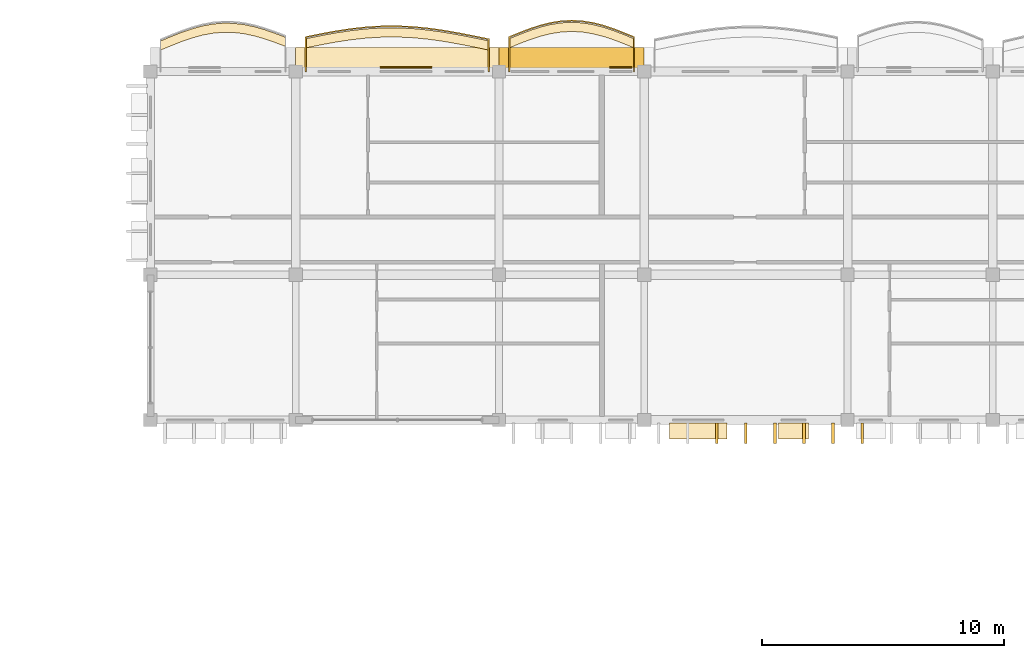
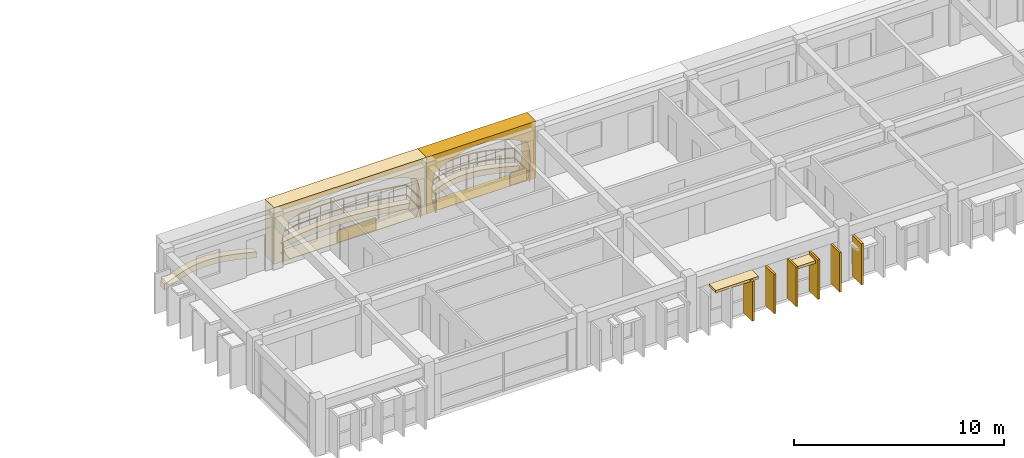
# One storey, part 58 of 68: 15 coverings, 2 railings.
"""IFC4 building model written with IfcOpenShell, lengths in metres."""

from ifc_helpers import new_model, si_unit, direction, frame, origin, origin_2d, place, context, subcontext, project, spatial, polyline, rectangle, outline, extrude, material, layer, layer_set, type_object, element, save


model = new_model("IFC4")

# Units and contexts
model_context = context("Model", 3, precision=1e-05, world=origin(), true_north=direction((0.0, 1.0)))
body_context = subcontext(model_context, "Body", "Model", "MODEL_VIEW")
ifc_project = project(units=[si_unit("LENGTHUNIT", "METRE"), si_unit("AREAUNIT", "SQUARE_METRE"), si_unit("VOLUMEUNIT", "CUBIC_METRE"), si_unit("PLANEANGLEUNIT", "RADIAN"), si_unit("MASSUNIT", "GRAM", prefix="KILO"), si_unit("THERMODYNAMICTEMPERATUREUNIT", "KELVIN")], contexts=[model_context])

# Site, building, storey
site_placement = place(None, origin())
site = spatial("IfcSite", under=ifc_project, at=site_placement, CompositionType="ELEMENT")
building_placement = place(site_placement, origin())
building = spatial("IfcBuilding", under=site, at=building_placement, Name="Thalorik Housing Commons", CompositionType="ELEMENT")
storey_placement = place(building_placement, frame((0.0, 0.0, 24.60009765625)))
storey = spatial("IfcBuildingStorey", under=building, at=storey_placement, Name="L07", CompositionType="ELEMENT", Elevation=24.60009765625)

# Coverings
ifc_material_1 = material(Name="Cobalt blue glazed ceramic facade tile panel", Category="masonry")
ifc_layer_1 = layer(ifc_material_1, 0.06005859375, Name="Cobalt blue glazed ceramic facade tile panel", Category="masonry")
ifc_layer_set_1 = layer_set([ifc_layer_1], Name="Cobalt blue glazed ceramic facade tile panel")
covering_type_1 = type_object("IfcCoveringType", Name="ARC-CLD-BLU-60", PredefinedType="CLADDING", material=ifc_layer_set_1)
covering_1_placement = place(storey_placement, frame((99.830078125, 123.764892578125, 0.0498046875), z_axis=(0.0, 0.0, 1.0), x_axis=(-1.0, 0.0, 0.0)))
element("IfcCovering", 1, at=covering_1_placement, inside=storey, type_object=covering_type_1, Name="L07 De Stijl Recessed Window Spandrel 2574", PredefinedType="CLADDING", context=body_context, shape_type="SweptSolid", body=[
    extrude(rectangle(XDim=0.89990234375, YDim=0.06005859375, at=origin_2d()), origin(), (0.0, 0.0, 1.0), 0.699951171875),
])
ifc_material_2 = material(Name="Precast concrete C40/50", Category="concrete")
ifc_layer_2 = layer(ifc_material_2, 0.85009765625, Name="Precast concrete C40/50", Category="concrete")
ifc_layer_set_2 = layer_set([ifc_layer_2], Name="Precast concrete C40/50")
covering_type_2 = type_object("IfcCoveringType", Name="ARC-CLD-CUSH-850", PredefinedType="CLADDING", material=ifc_layer_set_2)
covering_2_placement = place(storey_placement, frame((97.800048828125, 124.155029296875, 0.0), z_axis=(0.0, 0.0, 1.0), x_axis=(-1.0, 0.0, 0.0)))
element("IfcCovering", 2, at=covering_2_placement, inside=storey, type_object=covering_type_2, Name="L07 White Precast Curved Cushion Bay Frame 2573", PredefinedType="CLADDING", context=body_context, shape_type="SweptSolid", body=[
    extrude(outline(polyline([(-3.0, 0.0), (3.0, 0.0), (3.0, 3.300048828125), (-3.0, 3.300048828125), (-3.0, 0.0)]), holes=[polyline([(2.544921875, 0.02490234375), (2.64111328125, 0.394287109375), (2.69873046875, 0.76318359375), (2.718017578125, 1.132568359375), (2.69873046875, 1.501708984375), (2.64111328125, 1.870849609375), (2.544921875, 2.239990234375), (2.1220703125, 2.4833984375), (1.69921875, 2.6748046875), (1.2763671875, 2.82958984375), (0.853271484375, 2.94482421875), (0.430419921875, 3.01611328125), (0.007568359375, 3.0400390625), (-0.415283203125, 3.01611328125), (-0.83837890625, 2.94482421875), (-1.26123046875, 2.82958984375), (-1.68408203125, 2.6748046875), (-2.107177734375, 2.4833984375), (-2.530029296875, 2.239990234375), (-2.629150390625, 1.870849609375), (-2.688720703125, 1.501708984375), (-2.70849609375, 1.132568359375), (-2.688720703125, 0.76318359375), (-2.629150390625, 0.394287109375), (-2.530029296875, 0.02490234375), (2.544921875, 0.02490234375)])]), frame((0.0, 0.425048828125, 0.0), z_axis=(0.0, -1.0, 0.0), x_axis=(1.0, 0.0, 0.0)), (0.0, 0.0, 1.0), 0.85009765625),
])
covering_3_placement = place(storey_placement, frame((90.60009765625, 124.155029296875, 0.0), z_axis=(0.0, 0.0, 1.0), x_axis=(-1.0, 0.0, 0.0)))
element("IfcCovering", 3, at=covering_3_placement, inside=storey, type_object=covering_type_2, Name="L07 White Precast Curved Cushion Bay Frame 2575", PredefinedType="CLADDING", context=body_context, shape_type="SweptSolid", body=[
    extrude(outline(polyline([(-4.199951171875, 0.0), (4.199951171875, 0.0), (4.199951171875, 3.300048828125), (-4.199951171875, 3.300048828125), (-4.199951171875, 0.0)]), holes=[polyline([(3.323486328125, 0.02490234375), (3.560302734375, 0.3974609375), (3.70263671875, 0.77001953125), (3.75, 1.142578125), (3.70263671875, 1.514892578125), (3.560302734375, 1.887451171875), (3.323486328125, 2.260009765625), (2.743896484375, 2.497314453125), (2.16455078125, 2.683837890625), (1.585205078125, 2.8349609375), (1.005615234375, 2.947265625), (0.42626953125, 3.0166015625), (-0.1533203125, 3.0400390625), (-0.73291015625, 3.0166015625), (-1.312255859375, 2.947265625), (-1.8916015625, 2.8349609375), (-2.47119140625, 2.683837890625), (-3.050537109375, 2.497314453125), (-3.6298828125, 2.260009765625), (-3.750244140625, 1.887451171875), (-3.822509765625, 1.514892578125), (-3.8466796875, 1.142578125), (-3.822509765625, 0.77001953125), (-3.750244140625, 0.3974609375), (-3.6298828125, 0.02490234375), (3.323486328125, 0.02490234375)])]), frame((0.0, 0.425048828125, 0.0), z_axis=(0.0, -1.0, 0.0), x_axis=(1.0, 0.0, 0.0)), (0.0, 0.0, 1.0), 0.85009765625),
])
ifc_layer_3 = layer(ifc_material_2, 0.85009765625, Name="Precast concrete C40/50", Category="concrete")
ifc_layer_set_3 = layer_set([ifc_layer_3], Name="Precast concrete C40/50")
covering_type_3 = type_object("IfcCoveringType", Name="ARC-CLD-FIN-850", PredefinedType="CLADDING", material=ifc_layer_set_3)
for number, where, z_axis, x_axis, name in (
    (4, (103.800048828125, 108.64501953125, 0.0400390625), (0.0, 0.0, 1.0), (1.0, 0.0, 0.0), "L07 Courtyard Precast Vertical Brise-Soleil Fin 2605"),
    (5, (105.0, 108.64501953125, 0.0400390625), (0.0, 0.0, 1.0), (1.0, 0.0, 0.0), "L07 Courtyard Precast Vertical Brise-Soleil Fin 2606"),
    (6, (106.199951171875, 108.64501953125, 0.0400390625), (0.0, 0.0, 1.0), (1.0, 0.0, 0.0), "L07 Courtyard Precast Vertical Brise-Soleil Fin 2607"),
    (7, (107.39990234375, 108.64501953125, 0.0400390625), (0.0, 0.0, 1.0), (1.0, 0.0, 0.0), "L07 Courtyard Precast Vertical Brise-Soleil Fin 2608"),
    (8, (108.60009765625, 108.64501953125, 0.0400390625), (0.0, 0.0, 1.0), (1.0, 0.0, 0.0), "L07 Courtyard Precast Vertical Brise-Soleil Fin 2609"),
):
    element("IfcCovering", number, at=place(storey_placement, frame(where, z_axis=z_axis, x_axis=x_axis)), inside=storey, type_object=covering_type_3, Name=name, PredefinedType="CLADDING", context=body_context, shape_type="SweptSolid", body=[
        extrude(rectangle(XDim=0.110107421875, YDim=0.85009765625, at=origin_2d()), origin(), (0.0, 0.0, 1.0), 2.294921875),
    ])
covering_4_placement = place(storey_placement, frame((109.800048828125, 108.64501953125, 0.039794921875), z_axis=(0.0, 0.0, 1.0), x_axis=(1.0, 0.0, 0.0)))
element("IfcCovering", 9, at=covering_4_placement, inside=storey, type_object=covering_type_3, Name="L07 Courtyard Precast Vertical Brise-Soleil Fin 2612", PredefinedType="CLADDING", context=body_context, shape_type="SweptSolid", body=[
    extrude(rectangle(XDim=0.110107421875, YDim=0.85009765625, at=origin_2d()), origin(), (0.0, 0.0, 1.0), 2.39501953125),
])
ifc_layer_4 = layer(ifc_material_2, 0.64990234375, Name="Precast concrete C40/50", Category="concrete")
ifc_layer_set_4 = layer_set([ifc_layer_4], Name="Precast concrete C40/50")
covering_type_4 = type_object("IfcCoveringType", Name="ARC-CLD-HOOD-650", PredefinedType="CLADDING", material=ifc_layer_set_4)
covering_5_placement = place(storey_placement, frame((103.030029296875, 108.7451171875, 2.22509765625), z_axis=(0.0, 0.0, 1.0), x_axis=(1.0, 0.0, 0.0)))
element("IfcCovering", 10, at=covering_5_placement, inside=storey, type_object=covering_type_4, Name="L07 Courtyard Precast Window Sun-Hood 2610", PredefinedType="CLADDING", context=body_context, shape_type="SweptSolid", body=[
    extrude(rectangle(XDim=2.360107421875, YDim=0.64990234375, at=origin_2d()), origin(), (0.0, 0.0, 1.0), 0.139892578125),
])
covering_6_placement = place(storey_placement, frame((106.969970703125, 108.7451171875, 2.0400390625), z_axis=(0.0, 0.0, 1.0), x_axis=(1.0, 0.0, 0.0)))
element("IfcCovering", 11, at=covering_6_placement, inside=storey, type_object=covering_type_4, Name="L07 Courtyard Precast Window Sun-Hood 2611", PredefinedType="CLADDING", context=body_context, shape_type="SweptSolid", body=[
    extrude(rectangle(XDim=1.239990234375, YDim=0.64990234375, at=origin_2d()), origin(), (0.0, 0.0, 1.0), 0.139892578125),
])
ifc_material_3 = material(Name="Mineral ochre architectural terracotta panel", Category="masonry")
ifc_layer_5 = layer(ifc_material_3, 0.06494140625, Name="Mineral ochre architectural terracotta panel", Category="masonry")
ifc_layer_set_5 = layer_set([ifc_layer_5], Name="Mineral ochre architectural terracotta panel")
covering_type_5 = type_object("IfcCoveringType", Name="ARC-CLD-YEL-65", PredefinedType="CLADDING", material=ifc_layer_set_5)
covering_7_placement = place(storey_placement, frame((90.95654296875, 123.767578125, 0.0498046875), z_axis=(0.0, 0.0, 1.0), x_axis=(-1.0, 0.0, 0.0)))
element("IfcCovering", 12, at=covering_7_placement, inside=storey, type_object=covering_type_5, Name="L07 De Stijl Recessed Window Spandrel 2576", PredefinedType="CLADDING", context=body_context, shape_type="SweptSolid", body=[
    extrude(rectangle(XDim=2.1201171875, YDim=0.06494140625, at=origin_2d()), origin(), (0.0, 0.0, 1.0), 0.699951171875),
])
ifc_material_4 = material(Name="Planted vegetated substrate and terracotta trough", Category="masonry")
ifc_layer_6 = layer(ifc_material_4, 0.340087890625, Name="Planted vegetated substrate and terracotta trough", Category="masonry")
ifc_layer_set_6 = layer_set([ifc_layer_6], Name="Planted vegetated substrate and terracotta trough")
covering_type_6 = type_object("IfcCoveringType", Name="ARC-COV-PLANTER", PredefinedType="USERDEFINED", material=ifc_layer_set_6)
covering_8_placement = place(storey_placement, origin())
element("IfcCovering", 13, at=covering_8_placement, inside=storey, type_object=covering_type_6, Name="L07 Balcony Slab-Edge Planted Trough 5502", ObjectType="PLANTER", PredefinedType="USERDEFINED", context=body_context, shape_type="SweptSolid", body=[
    extrude(outline(polyline([(85.97998046875, 125.01123046875), (85.550048828125, 125.175048828125), (85.1201171875, 125.323974609375), (84.68994140625, 125.44775390625), (84.260009765625, 125.5380859375), (83.830078125, 125.58837890625), (83.39990234375, 125.59521484375), (82.969970703125, 125.55712890625), (82.5400390625, 125.4765625), (82.110107421875, 125.35791015625), (81.679931640625, 125.209228515625), (81.25, 125.039306640625), (80.820068359375, 124.859375), (80.820068359375, 124.479248046875), (81.25, 124.6591796875), (81.679931640625, 124.8291015625), (82.110107421875, 124.97802734375), (82.5400390625, 125.096435546875), (82.969970703125, 125.177001953125), (83.39990234375, 125.215087890625), (83.830078125, 125.20849609375), (84.260009765625, 125.158203125), (84.68994140625, 125.06787109375), (85.1201171875, 124.94384765625), (85.550048828125, 124.794921875), (85.97998046875, 124.631103515625), (85.97998046875, 125.01123046875)])), origin(), (0.0, 0.0, 1.0), 0.33984375),
])
covering_9_placement = place(storey_placement, origin())
element("IfcCovering", 14, at=covering_9_placement, inside=storey, type_object=covering_type_6, Name="L07 Balcony Slab-Edge Planted Trough 5503", ObjectType="PLANTER", PredefinedType="USERDEFINED", context=body_context, shape_type="SweptSolid", body=[
    extrude(outline(polyline([(94.3798828125, 124.8623046875), (93.75, 124.9912109375), (93.1201171875, 125.114501953125), (92.489990234375, 125.2236328125), (91.860107421875, 125.3115234375), (91.22998046875, 125.3720703125), (90.60009765625, 125.401123046875), (89.969970703125, 125.396728515625), (89.340087890625, 125.359130859375), (88.7099609375, 125.29052734375), (88.080078125, 125.19580078125), (87.449951171875, 125.08056640625), (86.820068359375, 124.952880859375), (86.820068359375, 124.572998046875), (87.449951171875, 124.70068359375), (88.080078125, 124.815673828125), (88.7099609375, 124.91064453125), (89.340087890625, 124.97900390625), (89.969970703125, 125.0166015625), (90.60009765625, 125.02099609375), (91.22998046875, 124.991943359375), (91.860107421875, 124.931396484375), (92.489990234375, 124.84375), (93.1201171875, 124.734619140625), (93.75, 124.611328125), (94.3798828125, 124.482177734375), (94.3798828125, 124.8623046875)])), origin(), (0.0, 0.0, 1.0), 0.33984375),
])
covering_10_placement = place(storey_placement, origin())
element("IfcCovering", 15, at=covering_10_placement, inside=storey, type_object=covering_type_6, Name="L07 Balcony Slab-Edge Planted Trough 5504", ObjectType="PLANTER", PredefinedType="USERDEFINED", context=body_context, shape_type="SweptSolid", body=[
    extrude(outline(polyline([(100.3798828125, 124.9501953125), (99.949951171875, 125.127685546875), (99.52001953125, 125.2919921875), (99.090087890625, 125.432373046875), (98.659912109375, 125.539794921875), (98.22998046875, 125.607177734375), (97.800048828125, 125.6298828125), (97.3701171875, 125.607177734375), (96.93994140625, 125.539794921875), (96.510009765625, 125.432373046875), (96.080078125, 125.2919921875), (95.64990234375, 125.127685546875), (95.219970703125, 124.9501953125), (95.219970703125, 124.5703125), (95.64990234375, 124.747802734375), (96.080078125, 124.912109375), (96.510009765625, 125.052490234375), (96.93994140625, 125.15966796875), (97.3701171875, 125.22705078125), (97.800048828125, 125.25), (98.22998046875, 125.22705078125), (98.659912109375, 125.15966796875), (99.090087890625, 125.052490234375), (99.52001953125, 124.912109375), (99.949951171875, 124.747802734375), (100.3798828125, 124.5703125), (100.3798828125, 124.9501953125)])), origin(), (0.0, 0.0, 1.0), 0.33984375),
])

# Railings
ifc_material_5 = material(Name="Steel S355", Category="steel")
railing_type_1 = type_object("IfcRailingType", Name="ARC-RL-BAL-112", PredefinedType="BALUSTRADE", material=ifc_material_5)
railing_1_placement = place(storey_placement, frame((100.3798828125, 123.60009765625, 0.0)))
element("IfcRailing", 16, at=railing_1_placement, inside=storey, type_object=railing_type_1, Name="L07 Cushion Balcony Guardrail 188", PredefinedType="BALUSTRADE", context=body_context, shape_type="SweptSolid", body=[
    extrude(rectangle(XDim=0.050048828125, YDim=0.050048828125, at=origin_2d()), frame((0.0, 0.0, 1.09521484375), z_axis=(0.0, 1.0, 0.0), x_axis=(-1.0, 0.0, 0.0)), (0.0, 0.0, 1.0), 1.420166015625),
    extrude(rectangle(XDim=0.050048828125, YDim=0.050048828125, at=origin_2d()), frame((0.0, 0.0, 0.53515625), z_axis=(0.0, 1.0, 0.0), x_axis=(-1.0, 0.0, 0.0)), (0.0, 0.0, 1.0), 1.420166015625),
    extrude(rectangle(XDim=0.050048828125, YDim=0.050048828125, at=origin_2d()), frame((0.0, 1.420166015625, 1.09521484375), z_axis=(-0.924329857015, 0.381594438416, 0.0), x_axis=(-0.381594438416, -0.924329857015, 0.0)), (0.0, 0.0, 1.0), 0.465087890625),
    extrude(rectangle(XDim=0.050048828125, YDim=0.050048828125, at=origin_2d()), frame((0.0, 1.420166015625, 0.53515625), z_axis=(-0.924329857015, 0.381594438416, 0.0), x_axis=(-0.381594438416, -0.924329857015, 0.0)), (0.0, 0.0, 1.0), 0.465087890625),
    extrude(rectangle(XDim=0.050048828125, YDim=0.050048828125, at=origin_2d()), frame((-0.429931640625, 1.59765625, 1.09521484375), z_axis=(-0.934109070597, 0.356987736804, 0.0), x_axis=(-0.356987736804, -0.934109070597, 0.0)), (0.0, 0.0, 1.0), 0.460205078125),
    extrude(rectangle(XDim=0.050048828125, YDim=0.050048828125, at=origin_2d()), frame((-0.429931640625, 1.59765625, 0.53515625), z_axis=(-0.934109070597, 0.356987736804, 0.0), x_axis=(-0.356987736804, -0.934109070597, 0.0)), (0.0, 0.0, 1.0), 0.460205078125),
    extrude(rectangle(XDim=0.050048828125, YDim=0.050048828125, at=origin_2d()), frame((-0.85986328125, 1.761962890625, 1.09521484375), z_axis=(-0.950608707094, 0.310391826564, 0.0), x_axis=(-0.310391826564, -0.950608707094, 0.0)), (0.0, 0.0, 1.0), 0.4521484375),
    extrude(rectangle(XDim=0.050048828125, YDim=0.050048828125, at=origin_2d()), frame((-0.85986328125, 1.761962890625, 0.53515625), z_axis=(-0.950608707094, 0.310391826564, 0.0), x_axis=(-0.310391826564, -0.950608707094, 0.0)), (0.0, 0.0, 1.0), 0.4521484375),
    extrude(rectangle(XDim=0.050048828125, YDim=0.050048828125, at=origin_2d()), frame((-1.289794921875, 1.90234375, 1.09521484375), z_axis=(-0.970336553959, 0.241758085805, 0.0), x_axis=(-0.241758085805, -0.970336553959, 0.0)), (0.0, 0.0, 1.0), 0.443359375),
    extrude(rectangle(XDim=0.050048828125, YDim=0.050048828125, at=origin_2d()), frame((-1.289794921875, 1.90234375, 0.53515625), z_axis=(-0.970336553959, 0.241758085805, 0.0), x_axis=(-0.241758085805, -0.970336553959, 0.0)), (0.0, 0.0, 1.0), 0.443359375),
    extrude(rectangle(XDim=0.050048828125, YDim=0.050048828125, at=origin_2d()), frame((-1.719970703125, 2.009521484375, 1.09521484375), z_axis=(-0.987939727001, 0.154838935067, 0.0), x_axis=(-0.154838935067, -0.987939727001, 0.0)), (0.0, 0.0, 1.0), 0.43505859375),
    extrude(rectangle(XDim=0.050048828125, YDim=0.050048828125, at=origin_2d()), frame((-1.719970703125, 2.009521484375, 0.53515625), z_axis=(-0.987939727001, 0.154838935067, 0.0), x_axis=(-0.154838935067, -0.987939727001, 0.0)), (0.0, 0.0, 1.0), 0.43505859375),
    extrude(rectangle(XDim=0.050048828125, YDim=0.050048828125, at=origin_2d()), frame((-2.14990234375, 2.076904296875, 1.09521484375), z_axis=(-0.998578391094, 0.053302878343, 0.0), x_axis=(-0.053302878343, -0.998578391094, 0.0)), (0.0, 0.0, 1.0), 0.4306640625),
    extrude(rectangle(XDim=0.050048828125, YDim=0.050048828125, at=origin_2d()), frame((-2.14990234375, 2.076904296875, 0.53515625), z_axis=(-0.998578391094, 0.053302878343, 0.0), x_axis=(-0.053302878343, -0.998578391094, 0.0)), (0.0, 0.0, 1.0), 0.4306640625),
    extrude(rectangle(XDim=0.050048828125, YDim=0.050048828125, at=origin_2d()), frame((-2.579833984375, 2.099853515625, 1.09521484375), z_axis=(-0.998578391094, -0.053302878343, 0.0), x_axis=(0.053302878343, -0.998578391094, 0.0)), (0.0, 0.0, 1.0), 0.4306640625),
    extrude(rectangle(XDim=0.050048828125, YDim=0.050048828125, at=origin_2d()), frame((-2.579833984375, 2.099853515625, 0.53515625), z_axis=(-0.998578391094, -0.053302878343, 0.0), x_axis=(0.053302878343, -0.998578391094, 0.0)), (0.0, 0.0, 1.0), 0.4306640625),
    extrude(rectangle(XDim=0.050048828125, YDim=0.050048828125, at=origin_2d()), frame((-3.009765625, 2.076904296875, 1.09521484375), z_axis=(-0.987953166111, -0.154753163364, 0.0), x_axis=(0.154753163364, -0.987953166111, 0.0)), (0.0, 0.0, 1.0), 0.435302734375),
    extrude(rectangle(XDim=0.050048828125, YDim=0.050048828125, at=origin_2d()), frame((-3.009765625, 2.076904296875, 0.53515625), z_axis=(-0.987953166111, -0.154753163364, 0.0), x_axis=(0.154753163364, -0.987953166111, 0.0)), (0.0, 0.0, 1.0), 0.435302734375),
    extrude(rectangle(XDim=0.050048828125, YDim=0.050048828125, at=origin_2d()), frame((-3.43994140625, 2.009521484375, 1.09521484375), z_axis=(-0.970304341289, -0.241887340049, 0.0), x_axis=(0.241887340049, -0.970304341289, 0.0)), (0.0, 0.0, 1.0), 0.443115234375),
    extrude(rectangle(XDim=0.050048828125, YDim=0.050048828125, at=origin_2d()), frame((-3.43994140625, 2.009521484375, 0.53515625), z_axis=(-0.970304341289, -0.241887340049, 0.0), x_axis=(0.241887340049, -0.970304341289, 0.0)), (0.0, 0.0, 1.0), 0.443115234375),
    extrude(rectangle(XDim=0.050048828125, YDim=0.050048828125, at=origin_2d()), frame((-3.869873046875, 1.90234375, 1.09521484375), z_axis=(-0.950608707094, -0.310391826564, 0.0), x_axis=(0.310391826564, -0.950608707094, 0.0)), (0.0, 0.0, 1.0), 0.4521484375),
    extrude(rectangle(XDim=0.050048828125, YDim=0.050048828125, at=origin_2d()), frame((-3.869873046875, 1.90234375, 0.53515625), z_axis=(-0.950608707094, -0.310391826564, 0.0), x_axis=(0.310391826564, -0.950608707094, 0.0)), (0.0, 0.0, 1.0), 0.4521484375),
    extrude(rectangle(XDim=0.050048828125, YDim=0.050048828125, at=origin_2d()), frame((-4.2998046875, 1.761962890625, 1.09521484375), z_axis=(-0.934176620096, -0.356810933782, 0.0), x_axis=(0.356810933782, -0.934176620096, 0.0)), (0.0, 0.0, 1.0), 0.46044921875),
    extrude(rectangle(XDim=0.050048828125, YDim=0.050048828125, at=origin_2d()), frame((-4.2998046875, 1.761962890625, 0.53515625), z_axis=(-0.934176620096, -0.356810933782, 0.0), x_axis=(0.356810933782, -0.934176620096, 0.0)), (0.0, 0.0, 1.0), 0.46044921875),
    extrude(rectangle(XDim=0.050048828125, YDim=0.050048828125, at=origin_2d()), frame((-4.72998046875, 1.59765625, 1.09521484375), z_axis=(-0.924329857015, -0.381594438416, 0.0), x_axis=(0.381594438416, -0.924329857015, 0.0)), (0.0, 0.0, 1.0), 0.465087890625),
    extrude(rectangle(XDim=0.050048828125, YDim=0.050048828125, at=origin_2d()), frame((-4.72998046875, 1.59765625, 0.53515625), z_axis=(-0.924329857015, -0.381594438416, 0.0), x_axis=(0.381594438416, -0.924329857015, 0.0)), (0.0, 0.0, 1.0), 0.465087890625),
    extrude(rectangle(XDim=0.050048828125, YDim=0.050048828125, at=origin_2d()), frame((-5.159912109375, 1.420166015625, 1.09521484375), z_axis=(0.0, -1.0, 0.0), x_axis=(1.0, 0.0, 0.0)), (0.0, 0.0, 1.0), 1.420166015625),
    extrude(rectangle(XDim=0.050048828125, YDim=0.050048828125, at=origin_2d()), frame((-5.159912109375, 1.420166015625, 0.53515625), z_axis=(0.0, -1.0, 0.0), x_axis=(1.0, 0.0, 0.0)), (0.0, 0.0, 1.0), 1.420166015625),
    extrude(rectangle(XDim=0.0419921875, YDim=0.0419921875, at=origin_2d()), origin(), (0.0, 0.0, 1.0), 1.070068359375),
    extrude(rectangle(XDim=0.0419921875, YDim=0.0419921875, at=origin_2d()), frame((0.0, 1.420166015625, 0.0)), (0.0, 0.0, 1.0), 1.070068359375),
    extrude(rectangle(XDim=0.0419921875, YDim=0.0419921875, at=origin_2d()), frame((-0.429931640625, 1.59765625, 0.0)), (0.0, 0.0, 1.0), 1.070068359375),
    extrude(rectangle(XDim=0.0419921875, YDim=0.0419921875, at=origin_2d()), frame((-0.85986328125, 1.761962890625, 0.0)), (0.0, 0.0, 1.0), 1.070068359375),
    extrude(rectangle(XDim=0.0419921875, YDim=0.0419921875, at=origin_2d()), frame((-1.289794921875, 1.90234375, 0.0)), (0.0, 0.0, 1.0), 1.070068359375),
    extrude(rectangle(XDim=0.0419921875, YDim=0.0419921875, at=origin_2d()), frame((-1.719970703125, 2.009521484375, 0.0)), (0.0, 0.0, 1.0), 1.070068359375),
    extrude(rectangle(XDim=0.0419921875, YDim=0.0419921875, at=origin_2d()), frame((-2.14990234375, 2.076904296875, 0.0)), (0.0, 0.0, 1.0), 1.070068359375),
    extrude(rectangle(XDim=0.0419921875, YDim=0.0419921875, at=origin_2d()), frame((-2.579833984375, 2.099853515625, 0.0)), (0.0, 0.0, 1.0), 1.070068359375),
    extrude(rectangle(XDim=0.0419921875, YDim=0.0419921875, at=origin_2d()), frame((-3.009765625, 2.076904296875, 0.0)), (0.0, 0.0, 1.0), 1.070068359375),
    extrude(rectangle(XDim=0.0419921875, YDim=0.0419921875, at=origin_2d()), frame((-3.43994140625, 2.009521484375, 0.0)), (0.0, 0.0, 1.0), 1.070068359375),
    extrude(rectangle(XDim=0.0419921875, YDim=0.0419921875, at=origin_2d()), frame((-3.869873046875, 1.90234375, 0.0)), (0.0, 0.0, 1.0), 1.070068359375),
    extrude(rectangle(XDim=0.0419921875, YDim=0.0419921875, at=origin_2d()), frame((-4.2998046875, 1.761962890625, 0.0)), (0.0, 0.0, 1.0), 1.070068359375),
    extrude(rectangle(XDim=0.0419921875, YDim=0.0419921875, at=origin_2d()), frame((-4.72998046875, 1.59765625, 0.0)), (0.0, 0.0, 1.0), 1.070068359375),
    extrude(rectangle(XDim=0.0419921875, YDim=0.0419921875, at=origin_2d()), frame((-5.159912109375, 1.420166015625, 0.0)), (0.0, 0.0, 1.0), 1.070068359375),
    extrude(rectangle(XDim=0.0419921875, YDim=0.0419921875, at=origin_2d()), frame((-5.159912109375, 0.0, 0.0)), (0.0, 0.0, 1.0), 1.070068359375),
])
railing_type_2 = type_object("IfcRailingType", Name="ARC-RL-BAL-115", PredefinedType="BALUSTRADE", material=ifc_material_5)
railing_2_placement = place(storey_placement, frame((94.3798828125, 123.60009765625, 0.0)))
element("IfcRailing", 17, at=railing_2_placement, inside=storey, type_object=railing_type_2, Name="L07 Cushion Balcony Guardrail 187", PredefinedType="BALUSTRADE", context=body_context, shape_type="SweptSolid", body=[
    extrude(rectangle(XDim=0.050048828125, YDim=0.050048828125, at=origin_2d()), frame((0.0, 0.0, 1.125), z_axis=(0.0, 1.0, 0.0), x_axis=(-1.0, 0.0, 0.0)), (0.0, 0.0, 1.0), 1.33203125),
    extrude(rectangle(XDim=0.050048828125, YDim=0.050048828125, at=origin_2d()), frame((0.0, 0.0, 0.5498046875), z_axis=(0.0, 1.0, 0.0), x_axis=(-1.0, 0.0, 0.0)), (0.0, 0.0, 1.0), 1.33203125),
    extrude(rectangle(XDim=0.050048828125, YDim=0.050048828125, at=origin_2d()), frame((0.0, 1.33203125, 1.125), z_axis=(-0.979619945128, 0.200860058517, 0.0), x_axis=(-0.200860058517, -0.979619945128, 0.0)), (0.0, 0.0, 1.0), 0.64306640625),
    extrude(rectangle(XDim=0.050048828125, YDim=0.050048828125, at=origin_2d()), frame((0.0, 1.33203125, 0.5498046875), z_axis=(-0.979619945128, 0.200860058517, 0.0), x_axis=(-0.200860058517, -0.979619945128, 0.0)), (0.0, 0.0, 1.0), 0.64306640625),
    extrude(rectangle(XDim=0.050048828125, YDim=0.050048828125, at=origin_2d()), frame((-0.6298828125, 1.461181640625, 1.125), z_axis=(-0.981377069433, 0.192091248087, 0.0), x_axis=(-0.192091248087, -0.981377069433, 0.0)), (0.0, 0.0, 1.0), 0.641845703125),
    extrude(rectangle(XDim=0.050048828125, YDim=0.050048828125, at=origin_2d()), frame((-0.6298828125, 1.461181640625, 0.5498046875), z_axis=(-0.981377069433, 0.192091248087, 0.0), x_axis=(-0.192091248087, -0.981377069433, 0.0)), (0.0, 0.0, 1.0), 0.641845703125),
    extrude(rectangle(XDim=0.050048828125, YDim=0.050048828125, at=origin_2d()), frame((-1.259765625, 1.58447265625, 1.125), z_axis=(-0.985331994455, 0.170648353941, 0.0), x_axis=(-0.170648353941, -0.985331994455, 0.0)), (0.0, 0.0, 1.0), 0.639404296875),
    extrude(rectangle(XDim=0.050048828125, YDim=0.050048828125, at=origin_2d()), frame((-1.259765625, 1.58447265625, 0.5498046875), z_axis=(-0.985331994455, 0.170648353941, 0.0), x_axis=(-0.170648353941, -0.985331994455, 0.0)), (0.0, 0.0, 1.0), 0.639404296875),
    extrude(rectangle(XDim=0.050048828125, YDim=0.050048828125, at=origin_2d()), frame((-1.889892578125, 1.693603515625, 1.125), z_axis=(-0.990404895365, 0.138196031911, 0.0), x_axis=(-0.138196031911, -0.990404895365, 0.0)), (0.0, 0.0, 1.0), 0.635986328125),
    extrude(rectangle(XDim=0.050048828125, YDim=0.050048828125, at=origin_2d()), frame((-1.889892578125, 1.693603515625, 0.5498046875), z_axis=(-0.990404895365, 0.138196031911, 0.0), x_axis=(-0.138196031911, -0.990404895365, 0.0)), (0.0, 0.0, 1.0), 0.635986328125),
    extrude(rectangle(XDim=0.050048828125, YDim=0.050048828125, at=origin_2d()), frame((-2.519775390625, 1.781494140625, 1.125), z_axis=(-0.995452033252, 0.095264103918, 0.0), x_axis=(-0.095264103918, -0.995452033252, 0.0)), (0.0, 0.0, 1.0), 0.633056640625),
    extrude(rectangle(XDim=0.050048828125, YDim=0.050048828125, at=origin_2d()), frame((-2.519775390625, 1.781494140625, 0.5498046875), z_axis=(-0.995452033252, 0.095264103918, 0.0), x_axis=(-0.095264103918, -0.995452033252, 0.0)), (0.0, 0.0, 1.0), 0.633056640625),
    extrude(rectangle(XDim=0.050048828125, YDim=0.050048828125, at=origin_2d()), frame((-3.14990234375, 1.841796875, 1.125), z_axis=(-0.998920086078, 0.046461399352, 0.0), x_axis=(-0.046461399352, -0.998920086078, 0.0)), (0.0, 0.0, 1.0), 0.630615234375),
    extrude(rectangle(XDim=0.050048828125, YDim=0.050048828125, at=origin_2d()), frame((-3.14990234375, 1.841796875, 0.5498046875), z_axis=(-0.998920086078, 0.046461399352, 0.0), x_axis=(-0.046461399352, -0.998920086078, 0.0)), (0.0, 0.0, 1.0), 0.630615234375),
    extrude(rectangle(XDim=0.050048828125, YDim=0.050048828125, at=origin_2d()), frame((-3.77978515625, 1.87109375, 1.125), z_axis=(-0.999975682263, -0.006973871476, 0.0), x_axis=(0.006973871476, -0.999975682263, 0.0)), (0.0, 0.0, 1.0), 0.630126953125),
    extrude(rectangle(XDim=0.050048828125, YDim=0.050048828125, at=origin_2d()), frame((-3.77978515625, 1.87109375, 0.5498046875), z_axis=(-0.999975682263, -0.006973871476, 0.0), x_axis=(0.006973871476, -0.999975682263, 0.0)), (0.0, 0.0, 1.0), 0.630126953125),
    extrude(rectangle(XDim=0.050048828125, YDim=0.050048828125, at=origin_2d()), frame((-4.409912109375, 1.86669921875, 1.125), z_axis=(-0.998223302798, -0.059583871562, 0.0), x_axis=(0.059583871562, -0.998223302798, 0.0)), (0.0, 0.0, 1.0), 0.631103515625),
    extrude(rectangle(XDim=0.050048828125, YDim=0.050048828125, at=origin_2d()), frame((-4.409912109375, 1.86669921875, 0.5498046875), z_axis=(-0.998223302798, -0.059583871562, 0.0), x_axis=(0.059583871562, -0.998223302798, 0.0)), (0.0, 0.0, 1.0), 0.631103515625),
    extrude(rectangle(XDim=0.050048828125, YDim=0.050048828125, at=origin_2d()), frame((-5.039794921875, 1.8291015625, 1.125), z_axis=(-0.994125558145, -0.10823296468, 0.0), x_axis=(0.10823296468, -0.994125558145, 0.0)), (0.0, 0.0, 1.0), 0.6337890625),
    extrude(rectangle(XDim=0.050048828125, YDim=0.050048828125, at=origin_2d()), frame((-5.039794921875, 1.8291015625, 0.5498046875), z_axis=(-0.994125558145, -0.10823296468, 0.0), x_axis=(0.10823296468, -0.994125558145, 0.0)), (0.0, 0.0, 1.0), 0.6337890625),
    extrude(rectangle(XDim=0.050048828125, YDim=0.050048828125, at=origin_2d()), frame((-5.669921875, 1.760498046875, 1.125), z_axis=(-0.988823619348, -0.14909007284, 0.0), x_axis=(0.14909007284, -0.988823619348, 0.0)), (0.0, 0.0, 1.0), 0.636962890625),
    extrude(rectangle(XDim=0.050048828125, YDim=0.050048828125, at=origin_2d()), frame((-5.669921875, 1.760498046875, 0.5498046875), z_axis=(-0.988823619348, -0.14909007284, 0.0), x_axis=(0.14909007284, -0.988823619348, 0.0)), (0.0, 0.0, 1.0), 0.636962890625),
    extrude(rectangle(XDim=0.050048828125, YDim=0.050048828125, at=origin_2d()), frame((-6.2998046875, 1.66552734375, 1.125), z_axis=(-0.983753833434, -0.179522687155, 0.0), x_axis=(0.179522687155, -0.983753833434, 0.0)), (0.0, 0.0, 1.0), 0.640625),
    extrude(rectangle(XDim=0.050048828125, YDim=0.050048828125, at=origin_2d()), frame((-6.2998046875, 1.66552734375, 0.5498046875), z_axis=(-0.983753833434, -0.179522687155, 0.0), x_axis=(0.179522687155, -0.983753833434, 0.0)), (0.0, 0.0, 1.0), 0.640625),
    extrude(rectangle(XDim=0.050048828125, YDim=0.050048828125, at=origin_2d()), frame((-6.929931640625, 1.550537109375, 1.125), z_axis=(-0.980065978106, -0.19867228936, 0.0), x_axis=(0.19867228936, -0.980065978106, 0.0)), (0.0, 0.0, 1.0), 0.642578125),
    extrude(rectangle(XDim=0.050048828125, YDim=0.050048828125, at=origin_2d()), frame((-6.929931640625, 1.550537109375, 0.5498046875), z_axis=(-0.980065978106, -0.19867228936, 0.0), x_axis=(0.19867228936, -0.980065978106, 0.0)), (0.0, 0.0, 1.0), 0.642578125),
    extrude(rectangle(XDim=0.050048828125, YDim=0.050048828125, at=origin_2d()), frame((-7.559814453125, 1.4228515625, 1.125), z_axis=(0.0, -1.0, 0.0), x_axis=(1.0, 0.0, 0.0)), (0.0, 0.0, 1.0), 1.4228515625),
    extrude(rectangle(XDim=0.050048828125, YDim=0.050048828125, at=origin_2d()), frame((-7.559814453125, 1.4228515625, 0.5498046875), z_axis=(0.0, -1.0, 0.0), x_axis=(1.0, 0.0, 0.0)), (0.0, 0.0, 1.0), 1.4228515625),
    extrude(rectangle(XDim=0.0419921875, YDim=0.0419921875, at=origin_2d()), origin(), (0.0, 0.0, 1.0), 1.099853515625),
    extrude(rectangle(XDim=0.0419921875, YDim=0.0419921875, at=origin_2d()), frame((0.0, 1.33203125, 0.0)), (0.0, 0.0, 1.0), 1.099853515625),
    extrude(rectangle(XDim=0.0419921875, YDim=0.0419921875, at=origin_2d()), frame((-0.6298828125, 1.461181640625, 0.0)), (0.0, 0.0, 1.0), 1.099853515625),
    extrude(rectangle(XDim=0.0419921875, YDim=0.0419921875, at=origin_2d()), frame((-1.259765625, 1.58447265625, 0.0)), (0.0, 0.0, 1.0), 1.099853515625),
    extrude(rectangle(XDim=0.0419921875, YDim=0.0419921875, at=origin_2d()), frame((-1.889892578125, 1.693603515625, 0.0)), (0.0, 0.0, 1.0), 1.099853515625),
    extrude(rectangle(XDim=0.0419921875, YDim=0.0419921875, at=origin_2d()), frame((-2.519775390625, 1.781494140625, 0.0)), (0.0, 0.0, 1.0), 1.099853515625),
    extrude(rectangle(XDim=0.0419921875, YDim=0.0419921875, at=origin_2d()), frame((-3.14990234375, 1.841796875, 0.0)), (0.0, 0.0, 1.0), 1.099853515625),
    extrude(rectangle(XDim=0.0419921875, YDim=0.0419921875, at=origin_2d()), frame((-3.77978515625, 1.87109375, 0.0)), (0.0, 0.0, 1.0), 1.099853515625),
    extrude(rectangle(XDim=0.0419921875, YDim=0.0419921875, at=origin_2d()), frame((-4.409912109375, 1.86669921875, 0.0)), (0.0, 0.0, 1.0), 1.099853515625),
    extrude(rectangle(XDim=0.0419921875, YDim=0.0419921875, at=origin_2d()), frame((-5.039794921875, 1.8291015625, 0.0)), (0.0, 0.0, 1.0), 1.099853515625),
    extrude(rectangle(XDim=0.0419921875, YDim=0.0419921875, at=origin_2d()), frame((-5.669921875, 1.760498046875, 0.0)), (0.0, 0.0, 1.0), 1.099853515625),
    extrude(rectangle(XDim=0.0419921875, YDim=0.0419921875, at=origin_2d()), frame((-6.2998046875, 1.66552734375, 0.0)), (0.0, 0.0, 1.0), 1.099853515625),
    extrude(rectangle(XDim=0.0419921875, YDim=0.0419921875, at=origin_2d()), frame((-6.929931640625, 1.550537109375, 0.0)), (0.0, 0.0, 1.0), 1.099853515625),
    extrude(rectangle(XDim=0.0419921875, YDim=0.0419921875, at=origin_2d()), frame((-7.559814453125, 1.4228515625, 0.0)), (0.0, 0.0, 1.0), 1.099853515625),
    extrude(rectangle(XDim=0.0419921875, YDim=0.0419921875, at=origin_2d()), frame((-7.559814453125, 0.0, 0.0)), (0.0, 0.0, 1.0), 1.099853515625),
])

save(model, "model.ifc")
